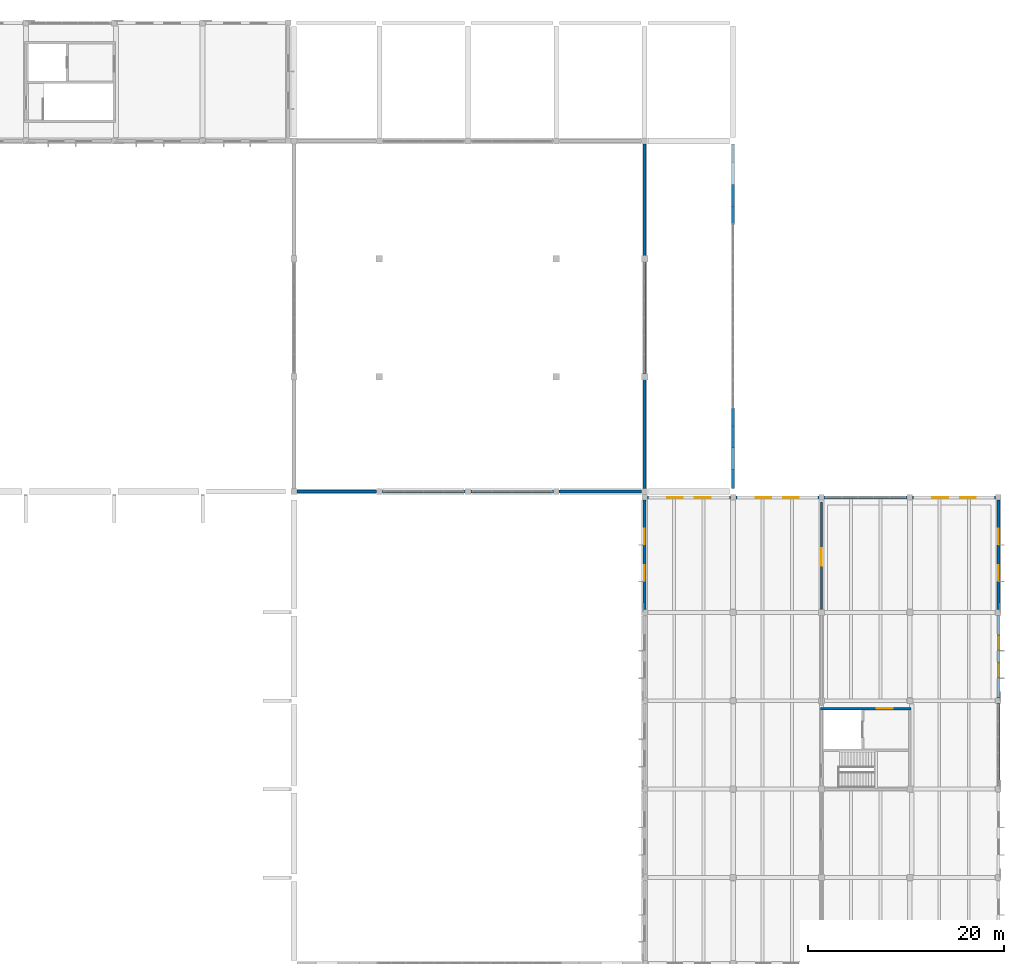
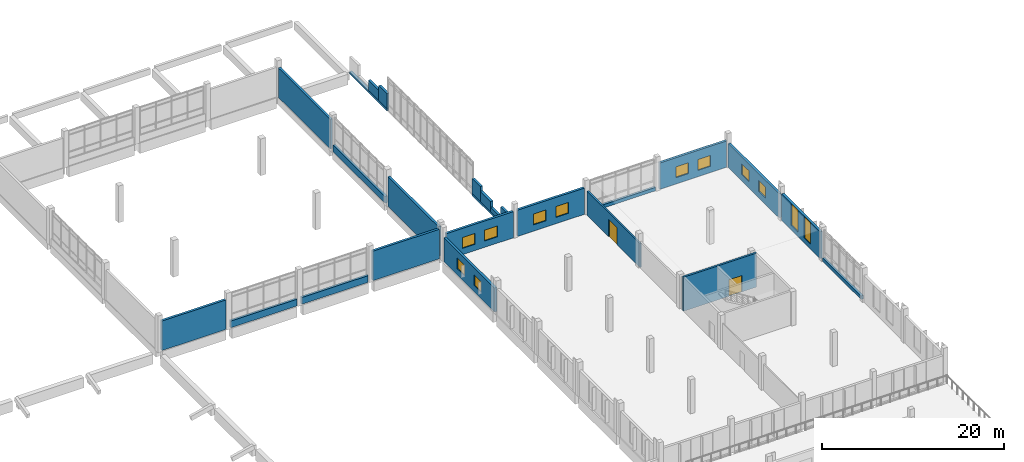
# One storey, part 44 of 63: 25 walls, 12 windows, 2 doors, 14 openings.
"""IFC4 building model written with IfcOpenShell, lengths in metres."""

from ifc_helpers import new_model, si_unit, direction, frame, frame_2d, origin, place, context, subcontext, project, spatial, rectangle, extrude, material, layer, layer_set, type_object, element, fill, save


model = new_model("IFC4")

# Units and contexts
model_context = context("Model", 3, precision=1e-05, world=origin(), true_north=direction((0.0, 1.0)))
body_context = subcontext(model_context, "Body", "Model", "MODEL_VIEW")
ifc_project = project(units=[si_unit("LENGTHUNIT", "METRE"), si_unit("AREAUNIT", "SQUARE_METRE"), si_unit("VOLUMEUNIT", "CUBIC_METRE"), si_unit("PLANEANGLEUNIT", "RADIAN"), si_unit("MASSUNIT", "GRAM", prefix="KILO")], contexts=[model_context])

# Site, building, storey
site_placement = place(None, origin())
site = spatial("IfcSite", under=ifc_project, at=site_placement, CompositionType="ELEMENT")
building_placement = place(site_placement, origin())
building = spatial("IfcBuilding", under=site, at=building_placement, Name="Zacnel Wholesale Market", CompositionType="ELEMENT")
storey_placement = place(building_placement, frame((0.0, 0.0, 11.199951171875)))
storey = spatial("IfcBuildingStorey", under=building, at=storey_placement, Name="L03", CompositionType="ELEMENT", Elevation=11.199951171875)

# Wall, opening, door
ifc_material_1 = material(Name="PIR insulated cold-store panel")
ifc_layer_1 = layer(ifc_material_1, 0.2099609375)
ifc_layer_set_1 = layer_set([ifc_layer_1], Name="PIR insulated cold-store panel")
wall_type_1 = type_object("IfcWallType", Name="WL-COLD-INT210", PredefinedType="STANDARD", material=ifc_layer_set_1)
wall_1_placement = place(storey_placement, frame((198.0, 83.699951171875, 0.0), z_axis=(0.0, 0.0, 1.0), x_axis=(0.0, 1.0, 0.0)))
wall_1 = element("IfcWall", 1, at=wall_1_placement, inside=storey, type_object=wall_type_1, Name="Interior partition L03-0167 part 3", PredefinedType="STANDARD", context=body_context, shape_type="SweptSolid", body=[
    extrude(rectangle(XDim=11.550048828125, YDim=0.2099609375, at=frame_2d((5.77490234375, 0.0))), origin(), (0.0, 0.0, 1.0), 3.219970703125),
])
opening_1_placement = place(wall_1_placement, frame((5.02490234375, 0.0, 0.0)))
opening_1 = element("IfcOpeningElement", 2, at=opening_1_placement, cuts=wall_1, Name="Opening FD-03", PredefinedType="OPENING", context=body_context, shape_type="SweptSolid", body=[
    extrude(rectangle(XDim=1.800048828125, YDim=2.300048828125, at=frame_2d((0.89990234375, 1.14990234375))), frame((0.0, 0.114990234375, 0.0), z_axis=(0.0, -1.0, 0.0), x_axis=(1.0, 0.0, 0.0)), (0.0, 0.0, 1.0), 0.22998046875),
])
ifc_material_2 = material(Name="Galvanized steel", Category="steel")
door_type_1 = type_object("IfcDoorType", Name="DR-FIRE-COMP-1800", OperationType="NOTDEFINED", PredefinedType="DOOR", material=ifc_material_2)
door_1_placement = place(opening_1_placement, origin())
door_1 = element("IfcDoor", 3, at=door_1_placement, inside=storey, type_object=door_type_1, Name="Interior door L03-0131", OperationType="SINGLE_SWING_RIGHT", OverallHeight=2.300048828125, OverallWidth=1.800048828125, PredefinedType="DOOR", context=body_context, shape_type="SweptSolid", body=[
    extrude(rectangle(XDim=1.800048828125, YDim=2.300048828125, at=frame_2d((0.89990234375, 1.14990234375))), frame((0.0, 0.02490234375, 0.0), z_axis=(0.0, -1.0, 0.0), x_axis=(1.0, 0.0, 0.0)), (0.0, 0.0, 1.0), 0.050048828125),
])
fill(opening_1, door_1)

ifc_material_3 = material(Name="Concrete C40/50", Category="concrete")
ifc_layer_2 = layer(ifc_material_3, 0.25)
ifc_layer_set_2 = layer_set([ifc_layer_2], Name="Concrete C40/50")
wall_type_2 = type_object("IfcWallType", Name="WL-CORE-SW250", PredefinedType="SOLIDWALL", material=ifc_layer_set_2)
wall_2_placement = place(storey_placement, frame((197.875, 74.199951171875, 0.0), z_axis=(0.0, 0.0, 1.0), x_axis=(1.0, 0.0, 0.0)))
wall_2 = element("IfcWall", 4, at=wall_2_placement, inside=storey, type_object=wall_type_2, Name="Core C7 north shear wall L03", PredefinedType="SOLIDWALL", context=body_context, shape_type="SweptSolid", body=[
    extrude(rectangle(XDim=9.25, YDim=0.25, at=frame_2d((4.625, 0.0))), origin(), (0.0, 0.0, 1.0), 4.550048828125),
])
opening_2_placement = place(wall_2_placement, frame((5.77490234375, 0.0, 0.0)))
opening_2 = element("IfcOpeningElement", 5, at=opening_2_placement, cuts=wall_2, Name="Opening FD-02", PredefinedType="OPENING", context=body_context, shape_type="SweptSolid", body=[
    extrude(rectangle(XDim=1.60009765625, YDim=2.199951171875, at=frame_2d((0.800048828125, 1.10009765625))), frame((0.0, 0.135009765625, 0.0), z_axis=(0.0, -1.0, 0.0), x_axis=(1.0, 0.0, 0.0)), (0.0, 0.0, 1.0), 0.27001953125),
])
ifc_material_4 = material(Name="Galvanized steel", Category="steel")
door_type_2 = type_object("IfcDoorType", Name="DR-FIRE-LOBBY-1600", OperationType="NOTDEFINED", PredefinedType="DOOR", material=ifc_material_4)
door_2_placement = place(opening_2_placement, origin())
door_2 = element("IfcDoor", 6, at=door_2_placement, inside=storey, type_object=door_type_2, Name="Core lift lobby fire door C7 L03", OperationType="SINGLE_SWING_RIGHT", OverallHeight=2.199951171875, OverallWidth=1.60009765625, PredefinedType="DOOR", context=body_context, shape_type="SweptSolid", body=[
    extrude(rectangle(XDim=1.60009765625, YDim=2.199951171875, at=frame_2d((0.800048828125, 1.10009765625))), frame((0.0, 0.02490234375, 0.0), z_axis=(0.0, -1.0, 0.0), x_axis=(1.0, 0.0, 0.0)), (0.0, 0.0, 1.0), 0.050048828125),
])
fill(opening_2, door_2)

# Wall, openings, windows
ifc_material_5 = material(Name="Precast concrete C40/50 (Cancun limestone aggregate)", Category="masonry")
ifc_layer_3 = layer(ifc_material_5, 0.300048828125)
ifc_layer_set_3 = layer_set([ifc_layer_3], Name="Precast concrete C40/50 (Cancun limestone aggregate)")
wall_type_3 = type_object("IfcWallType", Name="WL-EXT-LIME-300", PredefinedType="SOLIDWALL", material=ifc_layer_set_3)
wall_3_placement = place(storey_placement, frame((180.27490234375, 95.699951171875, 0.0), z_axis=(0.0, 0.0, 1.0), x_axis=(1.0, 0.0, 0.0)))
wall_3 = element("IfcWall", 7, at=wall_3_placement, inside=storey, type_object=wall_type_3, Name="Exterior wall L03-0421", PredefinedType="SOLIDWALL", context=body_context, shape_type="SweptSolid", body=[
    extrude(rectangle(XDim=8.4501953125, YDim=0.300048828125, at=frame_2d((4.22509765625, 0.0))), origin(), (0.0, 0.0, 1.0), 3.52001953125),
])
opening_3_placement = place(wall_3_placement, frame((2.01708984375, 0.0, 0.85009765625)))
opening_3 = element("IfcOpeningElement", 8, at=opening_3_placement, cuts=wall_3, Name="Opening W-06", PredefinedType="OPENING", context=body_context, shape_type="SweptSolid", body=[
    extrude(rectangle(XDim=1.60009765625, YDim=1.449951171875, at=frame_2d((0.800048828125, 0.72509765625))), frame((0.0, 0.159912109375, 0.0), z_axis=(0.0, -1.0, 0.0), x_axis=(1.0, 0.0, 0.0)), (0.0, 0.0, 1.0), 0.320068359375),
])
opening_4_placement = place(wall_3_placement, frame((4.8330078125, 0.0, 0.85009765625)))
opening_4 = element("IfcOpeningElement", 9, at=opening_4_placement, cuts=wall_3, Name="Opening W-06", PredefinedType="OPENING", context=body_context, shape_type="SweptSolid", body=[
    extrude(rectangle(XDim=1.60009765625, YDim=1.449951171875, at=frame_2d((0.800048828125, 0.72509765625))), frame((0.0, 0.159912109375, 0.0), z_axis=(0.0, -1.0, 0.0), x_axis=(1.0, 0.0, 0.0)), (0.0, 0.0, 1.0), 0.320068359375),
])
ifc_material_6 = material(Name="Laminated hurricane-impact low-E insulated glass", Category="glass")
window_type_1 = type_object("IfcWindowType", Name="WIN-HIG-1600X1450", PartitioningType="DOUBLE_PANEL_HORIZONTAL", PredefinedType="WINDOW", material=ifc_material_6)
window_1_placement = place(opening_3_placement, origin())
window_1 = element("IfcWindow", 10, at=window_1_placement, inside=storey, type_object=window_type_1, Name="Window L03-0461", OverallHeight=1.449951171875, OverallWidth=1.60009765625, PartitioningType="DOUBLE_PANEL_HORIZONTAL", PredefinedType="WINDOW", context=body_context, shape_type="SweptSolid", body=[
    extrude(rectangle(XDim=1.60009765625, YDim=1.449951171875, at=frame_2d((0.800048828125, 0.72509765625))), frame((0.0, 0.030029296875, 0.0), z_axis=(0.0, -1.0, 0.0), x_axis=(1.0, 0.0, 0.0)), (0.0, 0.0, 1.0), 0.06005859375),
])
fill(opening_3, window_1)
window_2_placement = place(opening_4_placement, origin())
window_2 = element("IfcWindow", 11, at=window_2_placement, inside=storey, type_object=window_type_1, Name="Window L03-0462", OverallHeight=1.449951171875, OverallWidth=1.60009765625, PartitioningType="DOUBLE_PANEL_HORIZONTAL", PredefinedType="WINDOW", context=body_context, shape_type="SweptSolid", body=[
    extrude(rectangle(XDim=1.60009765625, YDim=1.449951171875, at=frame_2d((0.800048828125, 0.72509765625))), frame((0.0, 0.030029296875, 0.0), z_axis=(0.0, -1.0, 0.0), x_axis=(1.0, 0.0, 0.0)), (0.0, 0.0, 1.0), 0.06005859375),
])
fill(opening_4, window_2)

wall_4_placement = place(storey_placement, frame((189.27490234375, 95.699951171875, 0.0), z_axis=(0.0, 0.0, 1.0), x_axis=(1.0, 0.0, 0.0)))
wall_4 = element("IfcWall", 12, at=wall_4_placement, inside=storey, type_object=wall_type_3, Name="Exterior wall L03-0422", PredefinedType="SOLIDWALL", context=body_context, shape_type="SweptSolid", body=[
    extrude(rectangle(XDim=8.4501953125, YDim=0.300048828125, at=frame_2d((4.22509765625, 0.0))), origin(), (0.0, 0.0, 1.0), 3.52001953125),
])
opening_5_placement = place(wall_4_placement, frame((2.01708984375, 0.0, 0.85009765625)))
opening_5 = element("IfcOpeningElement", 13, at=opening_5_placement, cuts=wall_4, Name="Opening W-06", PredefinedType="OPENING", context=body_context, shape_type="SweptSolid", body=[
    extrude(rectangle(XDim=1.60009765625, YDim=1.449951171875, at=frame_2d((0.800048828125, 0.72509765625))), frame((0.0, 0.159912109375, 0.0), z_axis=(0.0, -1.0, 0.0), x_axis=(1.0, 0.0, 0.0)), (0.0, 0.0, 1.0), 0.320068359375),
])
opening_6_placement = place(wall_4_placement, frame((4.8330078125, 0.0, 0.85009765625)))
opening_6 = element("IfcOpeningElement", 14, at=opening_6_placement, cuts=wall_4, Name="Opening W-06", PredefinedType="OPENING", context=body_context, shape_type="SweptSolid", body=[
    extrude(rectangle(XDim=1.60009765625, YDim=1.449951171875, at=frame_2d((0.800048828125, 0.72509765625))), frame((0.0, 0.159912109375, 0.0), z_axis=(0.0, -1.0, 0.0), x_axis=(1.0, 0.0, 0.0)), (0.0, 0.0, 1.0), 0.320068359375),
])
window_3_placement = place(opening_5_placement, origin())
window_3 = element("IfcWindow", 15, at=window_3_placement, inside=storey, type_object=window_type_1, Name="Window L03-0463", OverallHeight=1.449951171875, OverallWidth=1.60009765625, PartitioningType="DOUBLE_PANEL_HORIZONTAL", PredefinedType="WINDOW", context=body_context, shape_type="SweptSolid", body=[
    extrude(rectangle(XDim=1.60009765625, YDim=1.449951171875, at=frame_2d((0.800048828125, 0.72509765625))), frame((0.0, 0.030029296875, 0.0), z_axis=(0.0, -1.0, 0.0), x_axis=(1.0, 0.0, 0.0)), (0.0, 0.0, 1.0), 0.06005859375),
])
fill(opening_5, window_3)
window_4_placement = place(opening_6_placement, origin())
window_4 = element("IfcWindow", 16, at=window_4_placement, inside=storey, type_object=window_type_1, Name="Window L03-0464", OverallHeight=1.449951171875, OverallWidth=1.60009765625, PartitioningType="DOUBLE_PANEL_HORIZONTAL", PredefinedType="WINDOW", context=body_context, shape_type="SweptSolid", body=[
    extrude(rectangle(XDim=1.60009765625, YDim=1.449951171875, at=frame_2d((0.800048828125, 0.72509765625))), frame((0.0, 0.030029296875, 0.0), z_axis=(0.0, -1.0, 0.0), x_axis=(1.0, 0.0, 0.0)), (0.0, 0.0, 1.0), 0.06005859375),
])
fill(opening_6, window_4)

# Wall
wall_5_placement = place(storey_placement, frame((198.27490234375, 95.699951171875, 0.0), z_axis=(0.0, 0.0, 1.0), x_axis=(1.0, 0.0, 0.0)))
element("IfcWall", 17, at=wall_5_placement, inside=storey, type_object=wall_type_3, Name="Curtain-wall limestone plinth L03-0050", PredefinedType="SOLIDWALL", context=body_context, shape_type="SweptSolid", body=[
    extrude(rectangle(XDim=8.4501953125, YDim=0.300048828125, at=frame_2d((4.22509765625, 0.0))), origin(), (0.0, 0.0, 1.0), 0.449951171875),
])

# Wall, openings, windows
wall_6_placement = place(storey_placement, frame((207.27490234375, 95.699951171875, 0.0), z_axis=(0.0, 0.0, 1.0), x_axis=(1.0, 0.0, 0.0)))
wall_6 = element("IfcWall", 18, at=wall_6_placement, inside=storey, type_object=wall_type_3, Name="Exterior wall L03-0423", PredefinedType="SOLIDWALL", context=body_context, shape_type="SweptSolid", body=[
    extrude(rectangle(XDim=8.4501953125, YDim=0.300048828125, at=frame_2d((4.22509765625, 0.0))), origin(), (0.0, 0.0, 1.0), 3.52001953125),
])
opening_7_placement = place(wall_6_placement, frame((2.01708984375, 0.0, 0.85009765625)))
opening_7 = element("IfcOpeningElement", 19, at=opening_7_placement, cuts=wall_6, Name="Opening W-06", PredefinedType="OPENING", context=body_context, shape_type="SweptSolid", body=[
    extrude(rectangle(XDim=1.60009765625, YDim=1.449951171875, at=frame_2d((0.800048828125, 0.72509765625))), frame((0.0, 0.159912109375, 0.0), z_axis=(0.0, -1.0, 0.0), x_axis=(1.0, 0.0, 0.0)), (0.0, 0.0, 1.0), 0.320068359375),
])
opening_8_placement = place(wall_6_placement, frame((4.8330078125, 0.0, 0.85009765625)))
opening_8 = element("IfcOpeningElement", 20, at=opening_8_placement, cuts=wall_6, Name="Opening W-06", PredefinedType="OPENING", context=body_context, shape_type="SweptSolid", body=[
    extrude(rectangle(XDim=1.60009765625, YDim=1.449951171875, at=frame_2d((0.800048828125, 0.72509765625))), frame((0.0, 0.159912109375, 0.0), z_axis=(0.0, -1.0, 0.0), x_axis=(1.0, 0.0, 0.0)), (0.0, 0.0, 1.0), 0.320068359375),
])
window_5_placement = place(opening_7_placement, origin())
window_5 = element("IfcWindow", 21, at=window_5_placement, inside=storey, type_object=window_type_1, Name="Window L03-0465", OverallHeight=1.449951171875, OverallWidth=1.60009765625, PartitioningType="DOUBLE_PANEL_HORIZONTAL", PredefinedType="WINDOW", context=body_context, shape_type="SweptSolid", body=[
    extrude(rectangle(XDim=1.60009765625, YDim=1.449951171875, at=frame_2d((0.800048828125, 0.72509765625))), frame((0.0, 0.030029296875, 0.0), z_axis=(0.0, -1.0, 0.0), x_axis=(1.0, 0.0, 0.0)), (0.0, 0.0, 1.0), 0.06005859375),
])
fill(opening_7, window_5)
window_6_placement = place(opening_8_placement, origin())
window_6 = element("IfcWindow", 22, at=window_6_placement, inside=storey, type_object=window_type_1, Name="Window L03-0466", OverallHeight=1.449951171875, OverallWidth=1.60009765625, PartitioningType="DOUBLE_PANEL_HORIZONTAL", PredefinedType="WINDOW", context=body_context, shape_type="SweptSolid", body=[
    extrude(rectangle(XDim=1.60009765625, YDim=1.449951171875, at=frame_2d((0.800048828125, 0.72509765625))), frame((0.0, 0.030029296875, 0.0), z_axis=(0.0, -1.0, 0.0), x_axis=(1.0, 0.0, 0.0)), (0.0, 0.0, 1.0), 0.06005859375),
])
fill(opening_8, window_6)

wall_7_placement = place(storey_placement, frame((180.0, 84.300048828125, 0.0), z_axis=(0.0, 0.0, 1.0), x_axis=(0.0, 1.0, 0.0)))
wall_7 = element("IfcWall", 23, at=wall_7_placement, inside=storey, type_object=wall_type_3, Name="Exterior wall L03-0428", PredefinedType="SOLIDWALL", context=body_context, shape_type="SweptSolid", body=[
    extrude(rectangle(XDim=11.125, YDim=0.300048828125, at=frame_2d((5.5625, 0.0))), origin(), (0.0, 0.0, 1.0), 3.219970703125),
])
opening_9_placement = place(wall_7_placement, frame((2.907958984375, 0.0, 0.85009765625)))
opening_9 = element("IfcOpeningElement", 24, at=opening_9_placement, cuts=wall_7, Name="Opening W-06", PredefinedType="OPENING", context=body_context, shape_type="SweptSolid", body=[
    extrude(rectangle(XDim=1.60009765625, YDim=1.449951171875, at=frame_2d((0.800048828125, 0.72509765625))), frame((0.0, 0.159912109375, 0.0), z_axis=(0.0, -1.0, 0.0), x_axis=(1.0, 0.0, 0.0)), (0.0, 0.0, 1.0), 0.320068359375),
])
opening_10_placement = place(wall_7_placement, frame((6.616943359375, 0.0, 0.85009765625)))
opening_10 = element("IfcOpeningElement", 25, at=opening_10_placement, cuts=wall_7, Name="Opening W-06", PredefinedType="OPENING", context=body_context, shape_type="SweptSolid", body=[
    extrude(rectangle(XDim=1.60009765625, YDim=1.449951171875, at=frame_2d((0.800048828125, 0.72509765625))), frame((0.0, 0.159912109375, 0.0), z_axis=(0.0, -1.0, 0.0), x_axis=(1.0, 0.0, 0.0)), (0.0, 0.0, 1.0), 0.320068359375),
])
window_7_placement = place(opening_9_placement, origin())
window_7 = element("IfcWindow", 26, at=window_7_placement, inside=storey, type_object=window_type_1, Name="Window L03-0475", OverallHeight=1.449951171875, OverallWidth=1.60009765625, PartitioningType="DOUBLE_PANEL_HORIZONTAL", PredefinedType="WINDOW", context=body_context, shape_type="SweptSolid", body=[
    extrude(rectangle(XDim=1.60009765625, YDim=1.449951171875, at=frame_2d((0.800048828125, 0.72509765625))), frame((0.0, 0.030029296875, 0.0), z_axis=(0.0, -1.0, 0.0), x_axis=(1.0, 0.0, 0.0)), (0.0, 0.0, 1.0), 0.06005859375),
])
fill(opening_9, window_7)
window_8_placement = place(opening_10_placement, origin())
window_8 = element("IfcWindow", 27, at=window_8_placement, inside=storey, type_object=window_type_1, Name="Window L03-0476", OverallHeight=1.449951171875, OverallWidth=1.60009765625, PartitioningType="DOUBLE_PANEL_HORIZONTAL", PredefinedType="WINDOW", context=body_context, shape_type="SweptSolid", body=[
    extrude(rectangle(XDim=1.60009765625, YDim=1.449951171875, at=frame_2d((0.800048828125, 0.72509765625))), frame((0.0, 0.030029296875, 0.0), z_axis=(0.0, -1.0, 0.0), x_axis=(1.0, 0.0, 0.0)), (0.0, 0.0, 1.0), 0.06005859375),
])
fill(opening_10, window_8)

# Wall
wall_8_placement = place(storey_placement, frame((216.0, 66.300048828125, 0.0), z_axis=(0.0, 0.0, 1.0), x_axis=(0.0, 1.0, 0.0)))
element("IfcWall", 28, at=wall_8_placement, inside=storey, type_object=wall_type_3, Name="Curtain-wall limestone plinth L03-0051", PredefinedType="SOLIDWALL", context=body_context, shape_type="SweptSolid", body=[
    extrude(rectangle(XDim=8.39990234375, YDim=0.300048828125, at=frame_2d((4.199951171875, 0.0))), origin(), (0.0, 0.0, 1.0), 0.449951171875),
])

# Wall, openings, windows
wall_9_placement = place(storey_placement, frame((216.0, 75.300048828125, 0.0), z_axis=(0.0, 0.0, 1.0), x_axis=(0.0, 1.0, 0.0)))
wall_9 = element("IfcWall", 29, at=wall_9_placement, inside=storey, type_object=wall_type_3, Name="Exterior wall L03-0431", PredefinedType="SOLIDWALL", context=body_context, shape_type="SweptSolid", body=[
    extrude(rectangle(XDim=8.39990234375, YDim=0.300048828125, at=frame_2d((4.199951171875, 0.0))), origin(), (0.0, 0.0, 1.0), 3.590087890625),
])
opening_11_placement = place(wall_9_placement, frame((2.050048828125, 0.0, 0.64990234375)))
opening_11 = element("IfcOpeningElement", 30, at=opening_11_placement, cuts=wall_9, Name="Opening W-04", PredefinedType="OPENING", context=body_context, shape_type="SweptSolid", body=[
    extrude(rectangle(XDim=1.5, YDim=2.89990234375, at=frame_2d((0.75, 1.449951171875))), frame((0.0, 0.159912109375, 0.0), z_axis=(0.0, -1.0, 0.0), x_axis=(1.0, 0.0, 0.0)), (0.0, 0.0, 1.0), 0.320068359375),
])
opening_12_placement = place(wall_9_placement, frame((4.85009765625, 0.0, 0.64990234375)))
opening_12 = element("IfcOpeningElement", 31, at=opening_12_placement, cuts=wall_9, Name="Opening W-04", PredefinedType="OPENING", context=body_context, shape_type="SweptSolid", body=[
    extrude(rectangle(XDim=1.5, YDim=2.89990234375, at=frame_2d((0.75, 1.449951171875))), frame((0.0, 0.159912109375, 0.0), z_axis=(0.0, -1.0, 0.0), x_axis=(1.0, 0.0, 0.0)), (0.0, 0.0, 1.0), 0.320068359375),
])
ifc_material_7 = material(Name="Laminated hurricane-impact low-E insulated glass", Category="glass")
window_type_2 = type_object("IfcWindowType", Name="WIN-DEC-1500X2900", PartitioningType="DOUBLE_PANEL_VERTICAL", PredefinedType="WINDOW", material=ifc_material_7)
window_9_placement = place(opening_11_placement, origin())
window_9 = element("IfcWindow", 32, at=window_9_placement, inside=storey, type_object=window_type_2, Name="Window L03-0481", OverallHeight=2.89990234375, OverallWidth=1.5, PartitioningType="DOUBLE_PANEL_VERTICAL", PredefinedType="WINDOW", context=body_context, shape_type="SweptSolid", body=[
    extrude(rectangle(XDim=1.5, YDim=2.89990234375, at=frame_2d((0.75, 1.449951171875))), frame((0.0, 0.030029296875, 0.0), z_axis=(0.0, -1.0, 0.0), x_axis=(1.0, 0.0, 0.0)), (0.0, 0.0, 1.0), 0.06005859375),
])
fill(opening_11, window_9)
window_10_placement = place(opening_12_placement, origin())
window_10 = element("IfcWindow", 33, at=window_10_placement, inside=storey, type_object=window_type_2, Name="Window L03-0482", OverallHeight=2.89990234375, OverallWidth=1.5, PartitioningType="DOUBLE_PANEL_VERTICAL", PredefinedType="WINDOW", context=body_context, shape_type="SweptSolid", body=[
    extrude(rectangle(XDim=1.5, YDim=2.89990234375, at=frame_2d((0.75, 1.449951171875))), frame((0.0, 0.030029296875, 0.0), z_axis=(0.0, -1.0, 0.0), x_axis=(1.0, 0.0, 0.0)), (0.0, 0.0, 1.0), 0.06005859375),
])
fill(opening_12, window_10)

wall_10_placement = place(storey_placement, frame((216.0, 84.300048828125, 0.0), z_axis=(0.0, 0.0, 1.0), x_axis=(0.0, 1.0, 0.0)))
wall_10 = element("IfcWall", 34, at=wall_10_placement, inside=storey, type_object=wall_type_3, Name="Exterior wall L03-0432", PredefinedType="SOLIDWALL", context=body_context, shape_type="SweptSolid", body=[
    extrude(rectangle(XDim=11.125, YDim=0.300048828125, at=frame_2d((5.5625, 0.0))), origin(), (0.0, 0.0, 1.0), 3.219970703125),
])
opening_13_placement = place(wall_10_placement, frame((2.907958984375, 0.0, 0.85009765625)))
opening_13 = element("IfcOpeningElement", 35, at=opening_13_placement, cuts=wall_10, Name="Opening W-06", PredefinedType="OPENING", context=body_context, shape_type="SweptSolid", body=[
    extrude(rectangle(XDim=1.60009765625, YDim=1.449951171875, at=frame_2d((0.800048828125, 0.72509765625))), frame((0.0, 0.159912109375, 0.0), z_axis=(0.0, -1.0, 0.0), x_axis=(1.0, 0.0, 0.0)), (0.0, 0.0, 1.0), 0.320068359375),
])
opening_14_placement = place(wall_10_placement, frame((6.616943359375, 0.0, 0.85009765625)))
opening_14 = element("IfcOpeningElement", 36, at=opening_14_placement, cuts=wall_10, Name="Opening W-06", PredefinedType="OPENING", context=body_context, shape_type="SweptSolid", body=[
    extrude(rectangle(XDim=1.60009765625, YDim=1.449951171875, at=frame_2d((0.800048828125, 0.72509765625))), frame((0.0, 0.159912109375, 0.0), z_axis=(0.0, -1.0, 0.0), x_axis=(1.0, 0.0, 0.0)), (0.0, 0.0, 1.0), 0.320068359375),
])
window_11_placement = place(opening_13_placement, origin())
window_11 = element("IfcWindow", 37, at=window_11_placement, inside=storey, type_object=window_type_1, Name="Window L03-0483", OverallHeight=1.449951171875, OverallWidth=1.60009765625, PartitioningType="DOUBLE_PANEL_HORIZONTAL", PredefinedType="WINDOW", context=body_context, shape_type="SweptSolid", body=[
    extrude(rectangle(XDim=1.60009765625, YDim=1.449951171875, at=frame_2d((0.800048828125, 0.72509765625))), frame((0.0, 0.030029296875, 0.0), z_axis=(0.0, -1.0, 0.0), x_axis=(1.0, 0.0, 0.0)), (0.0, 0.0, 1.0), 0.06005859375),
])
fill(opening_13, window_11)
window_12_placement = place(opening_14_placement, origin())
window_12 = element("IfcWindow", 38, at=window_12_placement, inside=storey, type_object=window_type_1, Name="Window L03-0484", OverallHeight=1.449951171875, OverallWidth=1.60009765625, PartitioningType="DOUBLE_PANEL_HORIZONTAL", PredefinedType="WINDOW", context=body_context, shape_type="SweptSolid", body=[
    extrude(rectangle(XDim=1.60009765625, YDim=1.449951171875, at=frame_2d((0.800048828125, 0.72509765625))), frame((0.0, 0.030029296875, 0.0), z_axis=(0.0, -1.0, 0.0), x_axis=(1.0, 0.0, 0.0)), (0.0, 0.0, 1.0), 0.06005859375),
])
fill(opening_14, window_12)

# Walls
wall_11_placement = place(storey_placement, frame((189.0, 96.60009765625, 0.0), z_axis=(0.0, 0.0, 1.0), x_axis=(0.0, 1.0, 0.0)))
element("IfcWall", 39, at=wall_11_placement, inside=storey, type_object=wall_type_3, Name="Barrel-shell gable limestone sill course NW-E-1", PredefinedType="SOLIDWALL", context=body_context, shape_type="SweptSolid", body=[
    extrude(rectangle(XDim=8.199951171875, YDim=0.300048828125, at=frame_2d((4.10009765625, 0.0))), origin(), (0.0, 0.0, 1.0), 0.300048828125),
])
wall_12_placement = place(storey_placement, frame((189.0, 96.60009765625, 0.300048828125), z_axis=(0.0, 0.0, 1.0), x_axis=(0.0, 1.0, 0.0)))
element("IfcWall", 40, at=wall_12_placement, inside=storey, type_object=wall_type_3, Name="Barrel-shell gable limestone tympanum NW-E-1", PredefinedType="SOLIDWALL", context=body_context, shape_type="SweptSolid", body=[
    extrude(rectangle(XDim=1.93115234375, YDim=0.300048828125, at=frame_2d((0.965576171875, 0.0))), origin(), (0.0, 0.0, 1.0), 2.0),
])
wall_13_placement = place(storey_placement, frame((189.0, 123.5, 0.0), z_axis=(0.0, 0.0, 1.0), x_axis=(0.0, 1.0, 0.0)))
element("IfcWall", 41, at=wall_13_placement, inside=storey, type_object=wall_type_3, Name="Barrel-shell gable limestone sill course NW-E-2", PredefinedType="SOLIDWALL", context=body_context, shape_type="SweptSolid", body=[
    extrude(rectangle(XDim=8.199951171875, YDim=0.300048828125, at=frame_2d((4.10009765625, 0.0))), origin(), (0.0, 0.0, 1.0), 0.300048828125),
])
wall_14_placement = place(storey_placement, frame((189.0, 123.5, 0.300048828125), z_axis=(0.0, 0.0, 1.0), x_axis=(0.0, 1.0, 0.0)))
element("IfcWall", 42, at=wall_14_placement, inside=storey, type_object=wall_type_3, Name="Barrel-shell gable limestone tympanum NW-E-2", PredefinedType="SOLIDWALL", context=body_context, shape_type="SweptSolid", body=[
    extrude(rectangle(XDim=1.806396484375, YDim=0.300048828125, at=frame_2d((0.9033203125, 0.0))), origin(), (0.0, 0.0, 1.0), 2.0),
])
wall_15_placement = place(storey_placement, frame((144.60009765625, 96.300048828125, 0.0), z_axis=(0.0, 0.0, 1.0), x_axis=(1.0, 0.0, 0.0)))
element("IfcWall", 43, at=wall_15_placement, inside=storey, type_object=wall_type_3, Name="Crossing drum limestone corner wall S-1", PredefinedType="SOLIDWALL", context=body_context, shape_type="SweptSolid", body=[
    extrude(rectangle(XDim=8.099853515625, YDim=0.300048828125, at=frame_2d((4.0498046875, 0.0))), origin(), (0.0, 0.0, 1.0), 3.949951171875),
])
for number, where, z_axis, x_axis, name in (
    (44, (153.300048828125, 96.300048828125, 0.0), (0.0, 0.0, 1.0), (1.0, 0.0, 0.0), "Crossing drum sill spandrel S-2"),
    (45, (162.300048828125, 96.300048828125, 0.0), (0.0, 0.0, 1.0), (1.0, 0.0, 0.0), "Crossing drum sill spandrel S-3"),
):
    element("IfcWall", number, at=place(storey_placement, frame(where, z_axis=z_axis, x_axis=x_axis)), inside=storey, type_object=wall_type_3, Name=name, PredefinedType="SOLIDWALL", context=body_context, shape_type="SweptSolid", body=[
        extrude(rectangle(XDim=8.39990234375, YDim=0.300048828125, at=frame_2d((4.199951171875, 0.0))), origin(), (0.0, 0.0, 1.0), 0.900146484375),
    ])
wall_16_placement = place(storey_placement, frame((171.300048828125, 96.300048828125, 0.0), z_axis=(0.0, 0.0, 1.0), x_axis=(1.0, 0.0, 0.0)))
element("IfcWall", 46, at=wall_16_placement, inside=storey, type_object=wall_type_3, Name="Crossing drum limestone corner wall S-4", PredefinedType="SOLIDWALL", context=body_context, shape_type="SweptSolid", body=[
    extrude(rectangle(XDim=8.39990234375, YDim=0.300048828125, at=frame_2d((4.199951171875, 0.0))), origin(), (0.0, 0.0, 1.0), 3.949951171875),
])
wall_17_placement = place(storey_placement, frame((180.0, 96.60009765625, 0.0), z_axis=(0.0, 0.0, 1.0), x_axis=(0.0, 1.0, 0.0)))
element("IfcWall", 47, at=wall_17_placement, inside=storey, type_object=wall_type_3, Name="Crossing drum limestone corner wall E-1", PredefinedType="SOLIDWALL", context=body_context, shape_type="SweptSolid", body=[
    extrude(rectangle(XDim=11.099853515625, YDim=0.300048828125, at=frame_2d((5.5498046875, 0.0))), origin(), (0.0, 0.0, 1.0), 3.949951171875),
])
wall_18_placement = place(storey_placement, frame((180.0, 108.300048828125, 0.0), z_axis=(0.0, 0.0, 1.0), x_axis=(0.0, 1.0, 0.0)))
element("IfcWall", 48, at=wall_18_placement, inside=storey, type_object=wall_type_3, Name="Crossing drum sill spandrel E-2", PredefinedType="SOLIDWALL", context=body_context, shape_type="SweptSolid", body=[
    extrude(rectangle(XDim=11.39990234375, YDim=0.300048828125, at=frame_2d((5.699951171875, 0.0))), origin(), (0.0, 0.0, 1.0), 0.900146484375),
])
wall_19_placement = place(storey_placement, frame((180.0, 120.300048828125, 0.0), z_axis=(0.0, 0.0, 1.0), x_axis=(0.0, 1.0, 0.0)))
element("IfcWall", 49, at=wall_19_placement, inside=storey, type_object=wall_type_3, Name="Crossing drum limestone corner wall E-3", PredefinedType="SOLIDWALL", context=body_context, shape_type="SweptSolid", body=[
    extrude(rectangle(XDim=11.39990234375, YDim=0.300048828125, at=frame_2d((5.699951171875, 0.0))), origin(), (0.0, 0.0, 1.0), 3.949951171875),
])
wall_20_placement = place(storey_placement, frame((189.0, 98.53125, 0.300048828125), z_axis=(0.0, 0.0, 1.0), x_axis=(0.0, 1.0, 0.0)))
element("IfcWall", 50, at=wall_20_placement, inside=storey, type_object=wall_type_3, Name="Barrel-shell gable limestone tympanum NW-E-1 part 2", PredefinedType="SOLIDWALL", context=body_context, shape_type="SweptSolid", body=[
    extrude(rectangle(XDim=2.231201171875, YDim=0.300048828125, at=frame_2d((1.11572265625, 0.0))), origin(), (0.0, 0.0, 1.0), 0.567626953125),
])
wall_21_placement = place(storey_placement, frame((189.0, 100.762451171875, 0.300048828125), z_axis=(0.0, 0.0, 1.0), x_axis=(0.0, 1.0, 0.0)))
element("IfcWall", 51, at=wall_21_placement, inside=storey, type_object=wall_type_3, Name="Barrel-shell gable limestone tympanum NW-E-1 part 3", PredefinedType="SOLIDWALL", context=body_context, shape_type="SweptSolid", body=[
    extrude(rectangle(XDim=2.231201171875, YDim=0.300048828125, at=frame_2d((1.11572265625, 0.0))), origin(), (0.0, 0.0, 1.0), 1.364501953125),
])
wall_22_placement = place(storey_placement, frame((189.0, 102.99365234375, 0.300048828125), z_axis=(0.0, 0.0, 1.0), x_axis=(0.0, 1.0, 0.0)))
element("IfcWall", 52, at=wall_22_placement, inside=storey, type_object=wall_type_3, Name="Barrel-shell gable limestone tympanum NW-E-1 part 4", PredefinedType="SOLIDWALL", context=body_context, shape_type="SweptSolid", body=[
    extrude(rectangle(XDim=1.806396484375, YDim=0.300048828125, at=frame_2d((0.9033203125, 0.0))), origin(), (0.0, 0.0, 1.0), 2.0),
])
wall_23_placement = place(storey_placement, frame((189.0, 125.306396484375, 0.300048828125), z_axis=(0.0, 0.0, 1.0), x_axis=(0.0, 1.0, 0.0)))
element("IfcWall", 53, at=wall_23_placement, inside=storey, type_object=wall_type_3, Name="Barrel-shell gable limestone tympanum NW-E-2 part 2", PredefinedType="SOLIDWALL", context=body_context, shape_type="SweptSolid", body=[
    extrude(rectangle(XDim=2.231201171875, YDim=0.300048828125, at=frame_2d((1.11572265625, 0.0))), origin(), (0.0, 0.0, 1.0), 1.364501953125),
])

save(model, "model.ifc")
